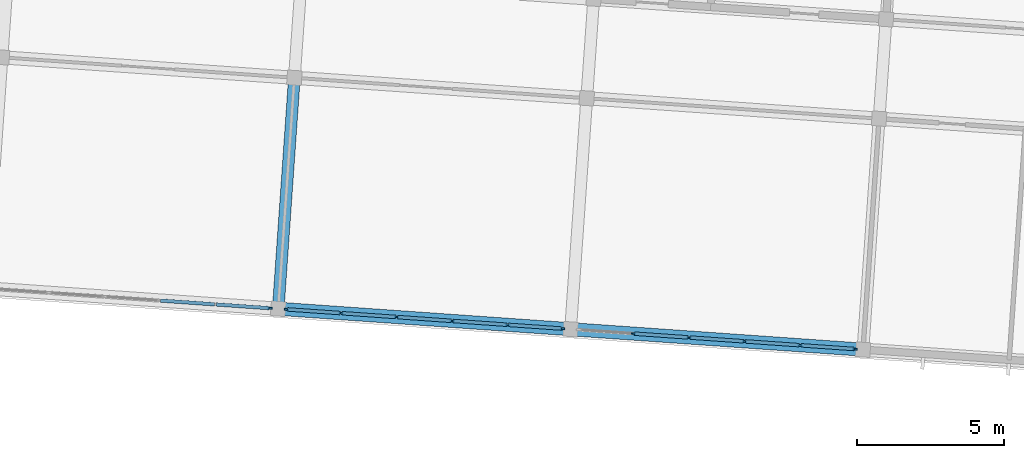
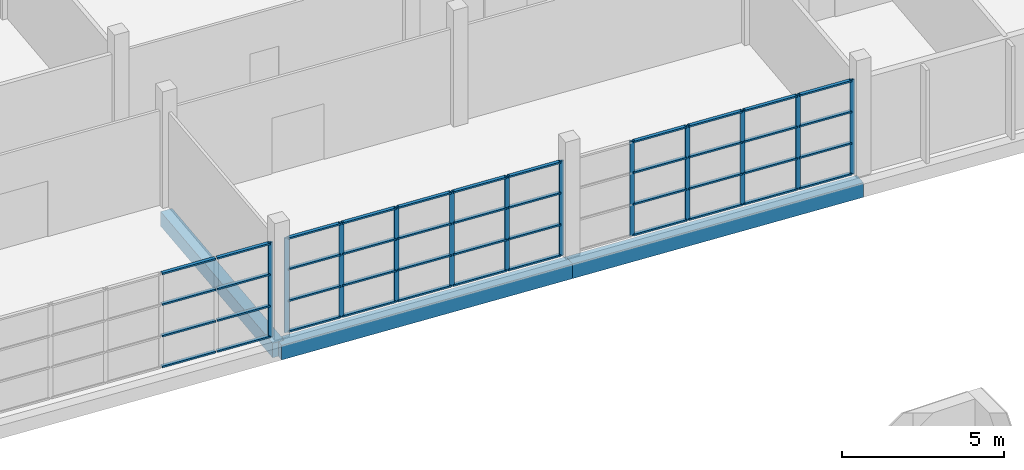
# One storey, part 19 of 50: 56 members, 3 beams, 3 elements without a shape of their own.
"""IFC4 building model written with IfcOpenShell, lengths in metres."""

from ifc_helpers import new_model, si_unit, direction, frame, origin, origin_2d, place, context, subcontext, project, spatial, rectangle, extrude, material, material_profile, profile_set, type_object, element, aggregate, save


model = new_model("IFC4")

# Units and contexts
model_context = context("Model", 3, precision=1e-05, world=origin(), true_north=direction((0.0, 1.0)))
body_context = subcontext(model_context, "Body", "Model", "MODEL_VIEW")
ifc_project = project(units=[si_unit("LENGTHUNIT", "METRE"), si_unit("AREAUNIT", "SQUARE_METRE"), si_unit("VOLUMEUNIT", "CUBIC_METRE"), si_unit("PLANEANGLEUNIT", "RADIAN"), si_unit("MASSUNIT", "GRAM", prefix="KILO")], contexts=[model_context])

# Site, building, storey
site_placement = place(None, origin())
site = spatial("IfcSite", under=ifc_project, at=site_placement, CompositionType="ELEMENT")
building_placement = place(site_placement, origin())
building = spatial("IfcBuilding", under=site, at=building_placement, Name="Windward Yard Aquatics Centre", CompositionType="ELEMENT")
storey_placement = place(building_placement, frame((0.0, 0.0, 18.199951171875)))
storey = spatial("IfcBuildingStorey", under=building, at=storey_placement, Name="L04", CompositionType="ELEMENT", Elevation=18.199951171875)

# Curtain wall, member
ifc_material_1 = material(Name="Aluminium curtain wall system", Category="aluminium")
curtain_wall_type = type_object("IfcCurtainWallType", Name="W curtain wall 1900", PredefinedType="NOTDEFINED", material=ifc_material_1)
curtain_wall_1_placement = place(storey_placement, origin())
curtain_wall_1 = element("IfcCurtainWall", 1, at=curtain_wall_1_placement, inside=storey, type_object=curtain_wall_type, Name="Wing south glazing L04 2", PredefinedType="NOTDEFINED")
ifc_material_2 = material(Name="Aluminium mullion", Category="aluminium")
ifc_material_profile_1 = material_profile(ifc_material_2, rectangle(XDim=0.06005859375, YDim=0.159912109375, at=origin_2d()), Name="AL 60x160")
ifc_profile_set_1 = profile_set([ifc_material_profile_1], Name="Aluminium mullion")
member_type_1 = type_object("IfcMemberType", Name="W CW mullion 60x160", PredefinedType="MULLION", material=ifc_profile_set_1)
member_1_placement = place(storey_placement, frame((137.510986328125, 114.7919921875, 0.0), z_axis=(0.0, 0.0, 1.0), x_axis=(0.069757583664, 0.997563972646, 0.0)))
member_1 = element("IfcMember", 2, at=member_1_placement, type_object=member_type_1, Name="WCW1 mullion 6", PredefinedType="MULLION", context=body_context, shape_type="SweptSolid", body=[
    extrude(rectangle(XDim=0.06005859375, YDim=0.159912109375, at=origin_2d()), origin(), (0.0, 0.0, 1.0), 3.570068359375),
])

# Curtain wall, members
curtain_wall_2_placement = place(storey_placement, origin())
curtain_wall_2 = element("IfcCurtainWall", 3, at=curtain_wall_2_placement, inside=storey, type_object=curtain_wall_type, Name="Wing south glazing L04 3", PredefinedType="NOTDEFINED")
member_2_placement = place(storey_placement, frame((138.0693359375, 114.7529296875, 0.0), z_axis=(0.0, 0.0, 1.0), x_axis=(0.069757583664, 0.997563972646, 0.0)))
member_2 = element("IfcMember", 4, at=member_2_placement, type_object=member_type_1, Name="WCW1 mullion 1", PredefinedType="MULLION", context=body_context, shape_type="SweptSolid", body=[
    extrude(rectangle(XDim=0.06005859375, YDim=0.159912109375, at=origin_2d()), origin(), (0.0, 0.0, 1.0), 3.570068359375),
])
member_3_placement = place(storey_placement, frame((139.934814453125, 114.62255859375, 0.0), z_axis=(0.0, 0.0, 1.0), x_axis=(0.069757583664, 0.997563972646, 0.0)))
member_3 = element("IfcMember", 5, at=member_3_placement, type_object=member_type_1, Name="WCW1 mullion 2", PredefinedType="MULLION", context=body_context, shape_type="SweptSolid", body=[
    extrude(rectangle(XDim=0.06005859375, YDim=0.159912109375, at=origin_2d()), origin(), (0.0, 0.0, 1.0), 3.570068359375),
])
member_4_placement = place(storey_placement, frame((141.830322265625, 114.489990234375, 0.0), z_axis=(0.0, 0.0, 1.0), x_axis=(0.069757583664, 0.997563972646, 0.0)))
member_4 = element("IfcMember", 6, at=member_4_placement, type_object=member_type_1, Name="WCW1 mullion 3", PredefinedType="MULLION", context=body_context, shape_type="SweptSolid", body=[
    extrude(rectangle(XDim=0.06005859375, YDim=0.159912109375, at=origin_2d()), origin(), (0.0, 0.0, 1.0), 3.570068359375),
])
member_5_placement = place(storey_placement, frame((143.7255859375, 114.357421875, 0.0), z_axis=(0.0, 0.0, 1.0), x_axis=(0.069757583664, 0.997563972646, 0.0)))
member_5 = element("IfcMember", 7, at=member_5_placement, type_object=member_type_1, Name="WCW1 mullion 4", PredefinedType="MULLION", context=body_context, shape_type="SweptSolid", body=[
    extrude(rectangle(XDim=0.06005859375, YDim=0.159912109375, at=origin_2d()), origin(), (0.0, 0.0, 1.0), 3.570068359375),
])
member_6_placement = place(storey_placement, frame((145.62109375, 114.224853515625, 0.0), z_axis=(0.0, 0.0, 1.0), x_axis=(0.069757583664, 0.997563972646, 0.0)))
member_6 = element("IfcMember", 8, at=member_6_placement, type_object=member_type_1, Name="WCW1 mullion 5", PredefinedType="MULLION", context=body_context, shape_type="SweptSolid", body=[
    extrude(rectangle(XDim=0.06005859375, YDim=0.159912109375, at=origin_2d()), origin(), (0.0, 0.0, 1.0), 3.570068359375),
])
member_7_placement = place(storey_placement, frame((147.486572265625, 114.094482421875, 0.0), z_axis=(0.0, 0.0, 1.0), x_axis=(0.069757583664, 0.997563972646, 0.0)))
member_7 = element("IfcMember", 9, at=member_7_placement, type_object=member_type_1, Name="WCW1 mullion 6", PredefinedType="MULLION", context=body_context, shape_type="SweptSolid", body=[
    extrude(rectangle(XDim=0.06005859375, YDim=0.159912109375, at=origin_2d()), origin(), (0.0, 0.0, 1.0), 3.570068359375),
])

curtain_wall_3_placement = place(storey_placement, origin())
curtain_wall_3 = element("IfcCurtainWall", 10, at=curtain_wall_3_placement, inside=storey, type_object=curtain_wall_type, Name="Wing south glazing L04 4", PredefinedType="NOTDEFINED")
member_8_placement = place(storey_placement, frame((149.91064453125, 113.9248046875, 0.0), z_axis=(0.0, 0.0, 1.0), x_axis=(0.06975831617, 0.997563921423, 0.0)))
member_8 = element("IfcMember", 11, at=member_8_placement, type_object=member_type_1, Name="WCW1 mullion 2", PredefinedType="MULLION", context=body_context, shape_type="SweptSolid", body=[
    extrude(rectangle(XDim=0.06005859375, YDim=0.159912109375, at=origin_2d()), origin(), (0.0, 0.0, 1.0), 3.570068359375),
])
member_9_placement = place(storey_placement, frame((151.805908203125, 113.792236328125, 0.0), z_axis=(0.0, 0.0, 1.0), x_axis=(0.06975831617, 0.997563921423, 0.0)))
member_9 = element("IfcMember", 12, at=member_9_placement, type_object=member_type_1, Name="WCW1 mullion 3", PredefinedType="MULLION", context=body_context, shape_type="SweptSolid", body=[
    extrude(rectangle(XDim=0.06005859375, YDim=0.159912109375, at=origin_2d()), origin(), (0.0, 0.0, 1.0), 3.570068359375),
])
member_10_placement = place(storey_placement, frame((153.701171875, 113.65966796875, 0.0), z_axis=(0.0, 0.0, 1.0), x_axis=(0.06975831617, 0.997563921423, 0.0)))
member_10 = element("IfcMember", 13, at=member_10_placement, type_object=member_type_1, Name="WCW1 mullion 4", PredefinedType="MULLION", context=body_context, shape_type="SweptSolid", body=[
    extrude(rectangle(XDim=0.06005859375, YDim=0.159912109375, at=origin_2d()), origin(), (0.0, 0.0, 1.0), 3.570068359375),
])
member_11_placement = place(storey_placement, frame((155.5966796875, 113.52734375, 0.0), z_axis=(0.0, 0.0, 1.0), x_axis=(0.06975831617, 0.997563921423, 0.0)))
member_11 = element("IfcMember", 14, at=member_11_placement, type_object=member_type_1, Name="WCW1 mullion 5", PredefinedType="MULLION", context=body_context, shape_type="SweptSolid", body=[
    extrude(rectangle(XDim=0.06005859375, YDim=0.159912109375, at=origin_2d()), origin(), (0.0, 0.0, 1.0), 3.570068359375),
])
member_12_placement = place(storey_placement, frame((157.462158203125, 113.396728515625, 0.0), z_axis=(0.0, 0.0, 1.0), x_axis=(0.06975831617, 0.997563921423, 0.0)))
member_12 = element("IfcMember", 15, at=member_12_placement, type_object=member_type_1, Name="WCW1 mullion 6", PredefinedType="MULLION", context=body_context, shape_type="SweptSolid", body=[
    extrude(rectangle(XDim=0.06005859375, YDim=0.159912109375, at=origin_2d()), origin(), (0.0, 0.0, 1.0), 3.570068359375),
])

# Member
ifc_material_3 = material(Name="Aluminium transom", Category="aluminium")
ifc_material_profile_2 = material_profile(ifc_material_3, rectangle(XDim=0.1201171875, YDim=0.06005859375, at=origin_2d()), Name="AL 120x60")
ifc_profile_set_2 = profile_set([ifc_material_profile_2], Name="Aluminium transom")
member_type_2 = type_object("IfcMemberType", Name="W CW transom 120x60", PredefinedType="USERDEFINED", material=ifc_profile_set_2)
member_13_placement = place(storey_placement, frame((133.780029296875, 115.052734375, 0.030029296875), z_axis=(0.997561369728, -0.069794796552, 0.0), x_axis=(0.069794796552, 0.997561369728, 0.0)))
member_13 = element("IfcMember", 16, at=member_13_placement, type_object=member_type_2, Name="WCW1 transom 4.1", ObjectType="TRANSOM", PredefinedType="USERDEFINED", context=body_context, shape_type="SweptSolid", body=[
    extrude(rectangle(XDim=0.1201171875, YDim=0.06005859375, at=origin_2d()), origin(), (0.0, 0.0, 1.0), 1.83984375),
])

member_14_placement = place(storey_placement, frame((133.780029296875, 115.052734375, 1.18994140625), z_axis=(0.997561369728, -0.069794796552, 0.0), x_axis=(0.069794796552, 0.997561369728, 0.0)))
member_14 = element("IfcMember", 17, at=member_14_placement, type_object=member_type_2, Name="WCW1 transom 4.2", ObjectType="TRANSOM", PredefinedType="USERDEFINED", context=body_context, shape_type="SweptSolid", body=[
    extrude(rectangle(XDim=0.1201171875, YDim=0.06005859375, at=origin_2d()), origin(), (0.0, 0.0, 1.0), 1.83984375),
])

member_15_placement = place(storey_placement, frame((133.780029296875, 115.052734375, 2.380126953125), z_axis=(0.997561369728, -0.069794796552, 0.0), x_axis=(0.069794796552, 0.997561369728, 0.0)))
member_15 = element("IfcMember", 18, at=member_15_placement, type_object=member_type_2, Name="WCW1 transom 4.3", ObjectType="TRANSOM", PredefinedType="USERDEFINED", context=body_context, shape_type="SweptSolid", body=[
    extrude(rectangle(XDim=0.1201171875, YDim=0.06005859375, at=origin_2d()), origin(), (0.0, 0.0, 1.0), 1.83984375),
])

member_16_placement = place(storey_placement, frame((133.780029296875, 115.052734375, 3.5400390625), z_axis=(0.997561369728, -0.069794796552, 0.0), x_axis=(0.069794796552, 0.997561369728, 0.0)))
member_16 = element("IfcMember", 19, at=member_16_placement, type_object=member_type_2, Name="WCW1 transom 4.4", ObjectType="TRANSOM", PredefinedType="USERDEFINED", context=body_context, shape_type="SweptSolid", body=[
    extrude(rectangle(XDim=0.1201171875, YDim=0.06005859375, at=origin_2d()), origin(), (0.0, 0.0, 1.0), 1.83984375),
])

member_17_placement = place(storey_placement, frame((135.67529296875, 114.920166015625, 0.030029296875), z_axis=(0.997565727219, -0.069732487963, 0.0), x_axis=(0.069732487963, 0.997565727219, 0.0)))
member_17 = element("IfcMember", 20, at=member_17_placement, type_object=member_type_2, Name="WCW1 transom 5.1", ObjectType="TRANSOM", PredefinedType="USERDEFINED", context=body_context, shape_type="SweptSolid", body=[
    extrude(rectangle(XDim=0.1201171875, YDim=0.06005859375, at=origin_2d()), origin(), (0.0, 0.0, 1.0), 1.81005859375),
])

member_18_placement = place(storey_placement, frame((135.67529296875, 114.920166015625, 1.18994140625), z_axis=(0.997565727219, -0.069732487963, 0.0), x_axis=(0.069732487963, 0.997565727219, 0.0)))
member_18 = element("IfcMember", 21, at=member_18_placement, type_object=member_type_2, Name="WCW1 transom 5.2", ObjectType="TRANSOM", PredefinedType="USERDEFINED", context=body_context, shape_type="SweptSolid", body=[
    extrude(rectangle(XDim=0.1201171875, YDim=0.06005859375, at=origin_2d()), origin(), (0.0, 0.0, 1.0), 1.81005859375),
])

member_19_placement = place(storey_placement, frame((135.67529296875, 114.920166015625, 2.380126953125), z_axis=(0.997565727219, -0.069732487963, 0.0), x_axis=(0.069732487963, 0.997565727219, 0.0)))
member_19 = element("IfcMember", 22, at=member_19_placement, type_object=member_type_2, Name="WCW1 transom 5.3", ObjectType="TRANSOM", PredefinedType="USERDEFINED", context=body_context, shape_type="SweptSolid", body=[
    extrude(rectangle(XDim=0.1201171875, YDim=0.06005859375, at=origin_2d()), origin(), (0.0, 0.0, 1.0), 1.81005859375),
])

member_20_placement = place(storey_placement, frame((135.67529296875, 114.920166015625, 3.5400390625), z_axis=(0.997565727219, -0.069732487963, 0.0), x_axis=(0.069732487963, 0.997565727219, 0.0)))
member_20 = element("IfcMember", 23, at=member_20_placement, type_object=member_type_2, Name="WCW1 transom 5.4", ObjectType="TRANSOM", PredefinedType="USERDEFINED", context=body_context, shape_type="SweptSolid", body=[
    extrude(rectangle(XDim=0.1201171875, YDim=0.06005859375, at=origin_2d()), origin(), (0.0, 0.0, 1.0), 1.81005859375),
])

aggregate(curtain_wall_1, [member_1, member_13, member_14, member_15, member_16, member_17, member_18, member_19, member_20])

member_21_placement = place(storey_placement, frame((138.099365234375, 114.750732421875, 0.030029296875), z_axis=(0.997565727219, -0.069732487963, 0.0), x_axis=(0.069732487963, 0.997565727219, 0.0)))
member_21 = element("IfcMember", 24, at=member_21_placement, type_object=member_type_2, Name="WCW1 transom 1.1", ObjectType="TRANSOM", PredefinedType="USERDEFINED", context=body_context, shape_type="SweptSolid", body=[
    extrude(rectangle(XDim=0.1201171875, YDim=0.06005859375, at=origin_2d()), origin(), (0.0, 0.0, 1.0), 1.81005859375),
])

member_22_placement = place(storey_placement, frame((138.099365234375, 114.750732421875, 1.18994140625), z_axis=(0.997565727219, -0.069732487963, 0.0), x_axis=(0.069732487963, 0.997565727219, 0.0)))
member_22 = element("IfcMember", 25, at=member_22_placement, type_object=member_type_2, Name="WCW1 transom 1.2", ObjectType="TRANSOM", PredefinedType="USERDEFINED", context=body_context, shape_type="SweptSolid", body=[
    extrude(rectangle(XDim=0.1201171875, YDim=0.06005859375, at=origin_2d()), origin(), (0.0, 0.0, 1.0), 1.81005859375),
])

member_23_placement = place(storey_placement, frame((138.099365234375, 114.750732421875, 2.380126953125), z_axis=(0.997565727219, -0.069732487963, 0.0), x_axis=(0.069732487963, 0.997565727219, 0.0)))
member_23 = element("IfcMember", 26, at=member_23_placement, type_object=member_type_2, Name="WCW1 transom 1.3", ObjectType="TRANSOM", PredefinedType="USERDEFINED", context=body_context, shape_type="SweptSolid", body=[
    extrude(rectangle(XDim=0.1201171875, YDim=0.06005859375, at=origin_2d()), origin(), (0.0, 0.0, 1.0), 1.81005859375),
])

member_24_placement = place(storey_placement, frame((138.099365234375, 114.750732421875, 3.5400390625), z_axis=(0.997565727219, -0.069732487963, 0.0), x_axis=(0.069732487963, 0.997565727219, 0.0)))
member_24 = element("IfcMember", 27, at=member_24_placement, type_object=member_type_2, Name="WCW1 transom 1.4", ObjectType="TRANSOM", PredefinedType="USERDEFINED", context=body_context, shape_type="SweptSolid", body=[
    extrude(rectangle(XDim=0.1201171875, YDim=0.06005859375, at=origin_2d()), origin(), (0.0, 0.0, 1.0), 1.81005859375),
])

member_25_placement = place(storey_placement, frame((139.96484375, 114.620361328125, 0.030029296875), z_axis=(0.997561369728, -0.069794796552, 0.0), x_axis=(0.069794796552, 0.997561369728, 0.0)))
member_25 = element("IfcMember", 28, at=member_25_placement, type_object=member_type_2, Name="WCW1 transom 2.1", ObjectType="TRANSOM", PredefinedType="USERDEFINED", context=body_context, shape_type="SweptSolid", body=[
    extrude(rectangle(XDim=0.1201171875, YDim=0.06005859375, at=origin_2d()), origin(), (0.0, 0.0, 1.0), 1.83984375),
])

member_26_placement = place(storey_placement, frame((139.96484375, 114.620361328125, 1.18994140625), z_axis=(0.997561369728, -0.069794796552, 0.0), x_axis=(0.069794796552, 0.997561369728, 0.0)))
member_26 = element("IfcMember", 29, at=member_26_placement, type_object=member_type_2, Name="WCW1 transom 2.2", ObjectType="TRANSOM", PredefinedType="USERDEFINED", context=body_context, shape_type="SweptSolid", body=[
    extrude(rectangle(XDim=0.1201171875, YDim=0.06005859375, at=origin_2d()), origin(), (0.0, 0.0, 1.0), 1.83984375),
])

member_27_placement = place(storey_placement, frame((139.96484375, 114.620361328125, 2.380126953125), z_axis=(0.997561369728, -0.069794796552, 0.0), x_axis=(0.069794796552, 0.997561369728, 0.0)))
member_27 = element("IfcMember", 30, at=member_27_placement, type_object=member_type_2, Name="WCW1 transom 2.3", ObjectType="TRANSOM", PredefinedType="USERDEFINED", context=body_context, shape_type="SweptSolid", body=[
    extrude(rectangle(XDim=0.1201171875, YDim=0.06005859375, at=origin_2d()), origin(), (0.0, 0.0, 1.0), 1.83984375),
])

member_28_placement = place(storey_placement, frame((139.96484375, 114.620361328125, 3.5400390625), z_axis=(0.997561369728, -0.069794796552, 0.0), x_axis=(0.069794796552, 0.997561369728, 0.0)))
member_28 = element("IfcMember", 31, at=member_28_placement, type_object=member_type_2, Name="WCW1 transom 2.4", ObjectType="TRANSOM", PredefinedType="USERDEFINED", context=body_context, shape_type="SweptSolid", body=[
    extrude(rectangle(XDim=0.1201171875, YDim=0.06005859375, at=origin_2d()), origin(), (0.0, 0.0, 1.0), 1.83984375),
])

member_29_placement = place(storey_placement, frame((141.860107421875, 114.48779296875, 0.030029296875), z_axis=(0.997562015973, -0.069785559303, 0.0), x_axis=(0.069785559303, 0.997562015973, 0.0)))
member_29 = element("IfcMember", 32, at=member_29_placement, type_object=member_type_2, Name="WCW1 transom 3.1", ObjectType="TRANSOM", PredefinedType="USERDEFINED", context=body_context, shape_type="SweptSolid", body=[
    extrude(rectangle(XDim=0.1201171875, YDim=0.06005859375, at=origin_2d()), origin(), (0.0, 0.0, 1.0), 1.840087890625),
])

member_30_placement = place(storey_placement, frame((141.860107421875, 114.48779296875, 1.18994140625), z_axis=(0.997562015973, -0.069785559303, 0.0), x_axis=(0.069785559303, 0.997562015973, 0.0)))
member_30 = element("IfcMember", 33, at=member_30_placement, type_object=member_type_2, Name="WCW1 transom 3.2", ObjectType="TRANSOM", PredefinedType="USERDEFINED", context=body_context, shape_type="SweptSolid", body=[
    extrude(rectangle(XDim=0.1201171875, YDim=0.06005859375, at=origin_2d()), origin(), (0.0, 0.0, 1.0), 1.840087890625),
])

member_31_placement = place(storey_placement, frame((141.860107421875, 114.48779296875, 2.380126953125), z_axis=(0.997562015973, -0.069785559303, 0.0), x_axis=(0.069785559303, 0.997562015973, 0.0)))
member_31 = element("IfcMember", 34, at=member_31_placement, type_object=member_type_2, Name="WCW1 transom 3.3", ObjectType="TRANSOM", PredefinedType="USERDEFINED", context=body_context, shape_type="SweptSolid", body=[
    extrude(rectangle(XDim=0.1201171875, YDim=0.06005859375, at=origin_2d()), origin(), (0.0, 0.0, 1.0), 1.840087890625),
])

member_32_placement = place(storey_placement, frame((141.860107421875, 114.48779296875, 3.5400390625), z_axis=(0.997562015973, -0.069785559303, 0.0), x_axis=(0.069785559303, 0.997562015973, 0.0)))
member_32 = element("IfcMember", 35, at=member_32_placement, type_object=member_type_2, Name="WCW1 transom 3.4", ObjectType="TRANSOM", PredefinedType="USERDEFINED", context=body_context, shape_type="SweptSolid", body=[
    extrude(rectangle(XDim=0.1201171875, YDim=0.06005859375, at=origin_2d()), origin(), (0.0, 0.0, 1.0), 1.840087890625),
])

member_33_placement = place(storey_placement, frame((143.755615234375, 114.355224609375, 0.030029296875), z_axis=(0.997570599543, -0.069662751365, 0.0), x_axis=(0.069662751365, 0.997570599543, 0.0)))
member_33 = element("IfcMember", 36, at=member_33_placement, type_object=member_type_2, Name="WCW1 transom 4.1", ObjectType="TRANSOM", PredefinedType="USERDEFINED", context=body_context, shape_type="SweptSolid", body=[
    extrude(rectangle(XDim=0.1201171875, YDim=0.06005859375, at=origin_2d()), origin(), (0.0, 0.0, 1.0), 1.83984375),
])

member_34_placement = place(storey_placement, frame((143.755615234375, 114.355224609375, 1.18994140625), z_axis=(0.997570599543, -0.069662751365, 0.0), x_axis=(0.069662751365, 0.997570599543, 0.0)))
member_34 = element("IfcMember", 37, at=member_34_placement, type_object=member_type_2, Name="WCW1 transom 4.2", ObjectType="TRANSOM", PredefinedType="USERDEFINED", context=body_context, shape_type="SweptSolid", body=[
    extrude(rectangle(XDim=0.1201171875, YDim=0.06005859375, at=origin_2d()), origin(), (0.0, 0.0, 1.0), 1.83984375),
])

member_35_placement = place(storey_placement, frame((143.755615234375, 114.355224609375, 2.380126953125), z_axis=(0.997570599543, -0.069662751365, 0.0), x_axis=(0.069662751365, 0.997570599543, 0.0)))
member_35 = element("IfcMember", 38, at=member_35_placement, type_object=member_type_2, Name="WCW1 transom 4.3", ObjectType="TRANSOM", PredefinedType="USERDEFINED", context=body_context, shape_type="SweptSolid", body=[
    extrude(rectangle(XDim=0.1201171875, YDim=0.06005859375, at=origin_2d()), origin(), (0.0, 0.0, 1.0), 1.83984375),
])

member_36_placement = place(storey_placement, frame((143.755615234375, 114.355224609375, 3.5400390625), z_axis=(0.997570599543, -0.069662751365, 0.0), x_axis=(0.069662751365, 0.997570599543, 0.0)))
member_36 = element("IfcMember", 39, at=member_36_placement, type_object=member_type_2, Name="WCW1 transom 4.4", ObjectType="TRANSOM", PredefinedType="USERDEFINED", context=body_context, shape_type="SweptSolid", body=[
    extrude(rectangle(XDim=0.1201171875, YDim=0.06005859375, at=origin_2d()), origin(), (0.0, 0.0, 1.0), 1.83984375),
])

member_37_placement = place(storey_placement, frame((145.65087890625, 114.22265625, 0.030029296875), z_axis=(0.997565727219, -0.069732487963, 0.0), x_axis=(0.069732487963, 0.997565727219, 0.0)))
member_37 = element("IfcMember", 40, at=member_37_placement, type_object=member_type_2, Name="WCW1 transom 5.1", ObjectType="TRANSOM", PredefinedType="USERDEFINED", context=body_context, shape_type="SweptSolid", body=[
    extrude(rectangle(XDim=0.1201171875, YDim=0.06005859375, at=origin_2d()), origin(), (0.0, 0.0, 1.0), 1.81005859375),
])

member_38_placement = place(storey_placement, frame((145.65087890625, 114.22265625, 1.18994140625), z_axis=(0.997565727219, -0.069732487963, 0.0), x_axis=(0.069732487963, 0.997565727219, 0.0)))
member_38 = element("IfcMember", 41, at=member_38_placement, type_object=member_type_2, Name="WCW1 transom 5.2", ObjectType="TRANSOM", PredefinedType="USERDEFINED", context=body_context, shape_type="SweptSolid", body=[
    extrude(rectangle(XDim=0.1201171875, YDim=0.06005859375, at=origin_2d()), origin(), (0.0, 0.0, 1.0), 1.81005859375),
])

member_39_placement = place(storey_placement, frame((145.65087890625, 114.22265625, 2.380126953125), z_axis=(0.997565727219, -0.069732487963, 0.0), x_axis=(0.069732487963, 0.997565727219, 0.0)))
member_39 = element("IfcMember", 42, at=member_39_placement, type_object=member_type_2, Name="WCW1 transom 5.3", ObjectType="TRANSOM", PredefinedType="USERDEFINED", context=body_context, shape_type="SweptSolid", body=[
    extrude(rectangle(XDim=0.1201171875, YDim=0.06005859375, at=origin_2d()), origin(), (0.0, 0.0, 1.0), 1.81005859375),
])

member_40_placement = place(storey_placement, frame((145.65087890625, 114.22265625, 3.5400390625), z_axis=(0.997565727219, -0.069732487963, 0.0), x_axis=(0.069732487963, 0.997565727219, 0.0)))
member_40 = element("IfcMember", 43, at=member_40_placement, type_object=member_type_2, Name="WCW1 transom 5.4", ObjectType="TRANSOM", PredefinedType="USERDEFINED", context=body_context, shape_type="SweptSolid", body=[
    extrude(rectangle(XDim=0.1201171875, YDim=0.06005859375, at=origin_2d()), origin(), (0.0, 0.0, 1.0), 1.81005859375),
])

aggregate(curtain_wall_2, [member_2, member_3, member_4, member_5, member_6, member_7, member_21, member_22, member_23, member_24, member_25, member_26, member_27, member_28, member_29, member_30, member_31, member_32, member_33, member_34, member_35, member_36, member_37, member_38, member_39, member_40])

member_41_placement = place(storey_placement, frame((149.9404296875, 113.9228515625, 0.030029296875), z_axis=(0.997561369728, -0.069794796552, 0.0), x_axis=(0.069794796552, 0.997561369728, 0.0)))
member_41 = element("IfcMember", 44, at=member_41_placement, type_object=member_type_2, Name="WCW1 transom 2.1", ObjectType="TRANSOM", PredefinedType="USERDEFINED", context=body_context, shape_type="SweptSolid", body=[
    extrude(rectangle(XDim=0.1201171875, YDim=0.06005859375, at=origin_2d()), origin(), (0.0, 0.0, 1.0), 1.83984375),
])

member_42_placement = place(storey_placement, frame((149.9404296875, 113.9228515625, 1.18994140625), z_axis=(0.997561369728, -0.069794796552, 0.0), x_axis=(0.069794796552, 0.997561369728, 0.0)))
member_42 = element("IfcMember", 45, at=member_42_placement, type_object=member_type_2, Name="WCW1 transom 2.2", ObjectType="TRANSOM", PredefinedType="USERDEFINED", context=body_context, shape_type="SweptSolid", body=[
    extrude(rectangle(XDim=0.1201171875, YDim=0.06005859375, at=origin_2d()), origin(), (0.0, 0.0, 1.0), 1.83984375),
])

member_43_placement = place(storey_placement, frame((149.9404296875, 113.9228515625, 2.380126953125), z_axis=(0.997561369728, -0.069794796552, 0.0), x_axis=(0.069794796552, 0.997561369728, 0.0)))
member_43 = element("IfcMember", 46, at=member_43_placement, type_object=member_type_2, Name="WCW1 transom 2.3", ObjectType="TRANSOM", PredefinedType="USERDEFINED", context=body_context, shape_type="SweptSolid", body=[
    extrude(rectangle(XDim=0.1201171875, YDim=0.06005859375, at=origin_2d()), origin(), (0.0, 0.0, 1.0), 1.83984375),
])

member_44_placement = place(storey_placement, frame((149.9404296875, 113.9228515625, 3.5400390625), z_axis=(0.997561369728, -0.069794796552, 0.0), x_axis=(0.069794796552, 0.997561369728, 0.0)))
member_44 = element("IfcMember", 47, at=member_44_placement, type_object=member_type_2, Name="WCW1 transom 2.4", ObjectType="TRANSOM", PredefinedType="USERDEFINED", context=body_context, shape_type="SweptSolid", body=[
    extrude(rectangle(XDim=0.1201171875, YDim=0.06005859375, at=origin_2d()), origin(), (0.0, 0.0, 1.0), 1.83984375),
])

member_45_placement = place(storey_placement, frame((151.8359375, 113.790283203125, 0.030029296875), z_axis=(0.997561369728, -0.069794796552, 0.0), x_axis=(0.069794796552, 0.997561369728, 0.0)))
member_45 = element("IfcMember", 48, at=member_45_placement, type_object=member_type_2, Name="WCW1 transom 3.1", ObjectType="TRANSOM", PredefinedType="USERDEFINED", context=body_context, shape_type="SweptSolid", body=[
    extrude(rectangle(XDim=0.1201171875, YDim=0.06005859375, at=origin_2d()), origin(), (0.0, 0.0, 1.0), 1.83984375),
])

member_46_placement = place(storey_placement, frame((151.8359375, 113.790283203125, 1.18994140625), z_axis=(0.997561369728, -0.069794796552, 0.0), x_axis=(0.069794796552, 0.997561369728, 0.0)))
member_46 = element("IfcMember", 49, at=member_46_placement, type_object=member_type_2, Name="WCW1 transom 3.2", ObjectType="TRANSOM", PredefinedType="USERDEFINED", context=body_context, shape_type="SweptSolid", body=[
    extrude(rectangle(XDim=0.1201171875, YDim=0.06005859375, at=origin_2d()), origin(), (0.0, 0.0, 1.0), 1.83984375),
])

member_47_placement = place(storey_placement, frame((151.8359375, 113.790283203125, 2.380126953125), z_axis=(0.997561369728, -0.069794796552, 0.0), x_axis=(0.069794796552, 0.997561369728, 0.0)))
member_47 = element("IfcMember", 50, at=member_47_placement, type_object=member_type_2, Name="WCW1 transom 3.3", ObjectType="TRANSOM", PredefinedType="USERDEFINED", context=body_context, shape_type="SweptSolid", body=[
    extrude(rectangle(XDim=0.1201171875, YDim=0.06005859375, at=origin_2d()), origin(), (0.0, 0.0, 1.0), 1.83984375),
])

member_48_placement = place(storey_placement, frame((151.8359375, 113.790283203125, 3.5400390625), z_axis=(0.997561369728, -0.069794796552, 0.0), x_axis=(0.069794796552, 0.997561369728, 0.0)))
member_48 = element("IfcMember", 51, at=member_48_placement, type_object=member_type_2, Name="WCW1 transom 3.4", ObjectType="TRANSOM", PredefinedType="USERDEFINED", context=body_context, shape_type="SweptSolid", body=[
    extrude(rectangle(XDim=0.1201171875, YDim=0.06005859375, at=origin_2d()), origin(), (0.0, 0.0, 1.0), 1.83984375),
])

member_49_placement = place(storey_placement, frame((153.731201171875, 113.65771484375, 0.030029296875), z_axis=(0.997561369728, -0.069794796552, 0.0), x_axis=(0.069794796552, 0.997561369728, 0.0)))
member_49 = element("IfcMember", 52, at=member_49_placement, type_object=member_type_2, Name="WCW1 transom 4.1", ObjectType="TRANSOM", PredefinedType="USERDEFINED", context=body_context, shape_type="SweptSolid", body=[
    extrude(rectangle(XDim=0.1201171875, YDim=0.06005859375, at=origin_2d()), origin(), (0.0, 0.0, 1.0), 1.83984375),
])

member_50_placement = place(storey_placement, frame((153.731201171875, 113.65771484375, 1.18994140625), z_axis=(0.997561369728, -0.069794796552, 0.0), x_axis=(0.069794796552, 0.997561369728, 0.0)))
member_50 = element("IfcMember", 53, at=member_50_placement, type_object=member_type_2, Name="WCW1 transom 4.2", ObjectType="TRANSOM", PredefinedType="USERDEFINED", context=body_context, shape_type="SweptSolid", body=[
    extrude(rectangle(XDim=0.1201171875, YDim=0.06005859375, at=origin_2d()), origin(), (0.0, 0.0, 1.0), 1.83984375),
])

member_51_placement = place(storey_placement, frame((153.731201171875, 113.65771484375, 2.380126953125), z_axis=(0.997561369728, -0.069794796552, 0.0), x_axis=(0.069794796552, 0.997561369728, 0.0)))
member_51 = element("IfcMember", 54, at=member_51_placement, type_object=member_type_2, Name="WCW1 transom 4.3", ObjectType="TRANSOM", PredefinedType="USERDEFINED", context=body_context, shape_type="SweptSolid", body=[
    extrude(rectangle(XDim=0.1201171875, YDim=0.06005859375, at=origin_2d()), origin(), (0.0, 0.0, 1.0), 1.83984375),
])

member_52_placement = place(storey_placement, frame((153.731201171875, 113.65771484375, 3.5400390625), z_axis=(0.997561369728, -0.069794796552, 0.0), x_axis=(0.069794796552, 0.997561369728, 0.0)))
member_52 = element("IfcMember", 55, at=member_52_placement, type_object=member_type_2, Name="WCW1 transom 4.4", ObjectType="TRANSOM", PredefinedType="USERDEFINED", context=body_context, shape_type="SweptSolid", body=[
    extrude(rectangle(XDim=0.1201171875, YDim=0.06005859375, at=origin_2d()), origin(), (0.0, 0.0, 1.0), 1.83984375),
])

member_53_placement = place(storey_placement, frame((155.62646484375, 113.525146484375, 0.030029296875), z_axis=(0.997565727219, -0.069732487963, 0.0), x_axis=(0.069732487963, 0.997565727219, 0.0)))
member_53 = element("IfcMember", 56, at=member_53_placement, type_object=member_type_2, Name="WCW1 transom 5.1", ObjectType="TRANSOM", PredefinedType="USERDEFINED", context=body_context, shape_type="SweptSolid", body=[
    extrude(rectangle(XDim=0.1201171875, YDim=0.06005859375, at=origin_2d()), origin(), (0.0, 0.0, 1.0), 1.81005859375),
])

member_54_placement = place(storey_placement, frame((155.62646484375, 113.525146484375, 1.18994140625), z_axis=(0.997565727219, -0.069732487963, 0.0), x_axis=(0.069732487963, 0.997565727219, 0.0)))
member_54 = element("IfcMember", 57, at=member_54_placement, type_object=member_type_2, Name="WCW1 transom 5.2", ObjectType="TRANSOM", PredefinedType="USERDEFINED", context=body_context, shape_type="SweptSolid", body=[
    extrude(rectangle(XDim=0.1201171875, YDim=0.06005859375, at=origin_2d()), origin(), (0.0, 0.0, 1.0), 1.81005859375),
])

member_55_placement = place(storey_placement, frame((155.62646484375, 113.525146484375, 2.380126953125), z_axis=(0.997565727219, -0.069732487963, 0.0), x_axis=(0.069732487963, 0.997565727219, 0.0)))
member_55 = element("IfcMember", 58, at=member_55_placement, type_object=member_type_2, Name="WCW1 transom 5.3", ObjectType="TRANSOM", PredefinedType="USERDEFINED", context=body_context, shape_type="SweptSolid", body=[
    extrude(rectangle(XDim=0.1201171875, YDim=0.06005859375, at=origin_2d()), origin(), (0.0, 0.0, 1.0), 1.81005859375),
])

member_56_placement = place(storey_placement, frame((155.62646484375, 113.525146484375, 3.5400390625), z_axis=(0.997565727219, -0.069732487963, 0.0), x_axis=(0.069732487963, 0.997565727219, 0.0)))
member_56 = element("IfcMember", 59, at=member_56_placement, type_object=member_type_2, Name="WCW1 transom 5.4", ObjectType="TRANSOM", PredefinedType="USERDEFINED", context=body_context, shape_type="SweptSolid", body=[
    extrude(rectangle(XDim=0.1201171875, YDim=0.06005859375, at=origin_2d()), origin(), (0.0, 0.0, 1.0), 1.81005859375),
])

aggregate(curtain_wall_3, [member_8, member_9, member_10, member_11, member_12, member_41, member_42, member_43, member_44, member_45, member_46, member_47, member_48, member_49, member_50, member_51, member_52, member_53, member_54, member_55, member_56])

# Beams
ifc_material_4 = material(Name="Concrete C40/50", Category="concrete")
ifc_material_profile_3 = material_profile(ifc_material_4, rectangle(XDim=0.39990234375, YDim=0.550048828125, at=origin_2d()), Name="RC 400x550")
ifc_profile_set_3 = profile_set([ifc_material_profile_3], Name="Concrete C40/50")
beam_type_1 = type_object("IfcBeamType", Name="W RC 400x550 beam Concrete C40/50", PredefinedType="BEAM", material=ifc_profile_set_3)
beam_1_placement = place(storey_placement, frame((137.7900390625, 114.7724609375, -0.554931640625), z_axis=(0.069779923244, 0.997562410234, 0.0), x_axis=(-0.997562410234, 0.069779923244, 0.0)))
element("IfcBeam", 60, at=beam_1_placement, inside=storey, type_object=beam_type_1, Name="W.BV.L04.4.A", PredefinedType="BEAM", context=body_context, shape_type="SweptSolid", body=[
    extrude(rectangle(XDim=0.39990234375, YDim=0.550048828125, at=origin_2d()), origin(), (0.0, 0.0, 1.0), 7.900146484375),
])
ifc_material_profile_4 = material_profile(ifc_material_4, rectangle(XDim=0.449951171875, YDim=0.550048828125, at=origin_2d()), Name="RC 450x550")
ifc_profile_set_4 = profile_set([ifc_material_profile_4], Name="Concrete C40/50")
beam_type_2 = type_object("IfcBeamType", Name="W RC 450x550 beam Concrete C40/50", PredefinedType="BEAM", material=ifc_profile_set_4)
beam_2_placement = place(storey_placement, frame((137.7900390625, 114.7724609375, -0.554931640625), z_axis=(0.997562826017, -0.069773979021, 0.0), x_axis=(0.069773979021, 0.997562826017, 0.0)))
element("IfcBeam", 61, at=beam_2_placement, inside=storey, type_object=beam_type_2, Name="W.BU.L04.1.4", PredefinedType="BEAM", context=body_context, shape_type="SweptSolid", body=[
    extrude(rectangle(XDim=0.449951171875, YDim=0.550048828125, at=origin_2d()), origin(), (0.0, 0.0, 1.0), 10.000244140625),
])
beam_3_placement = place(storey_placement, frame((147.765869140625, 114.07470703125, -0.554931640625), z_axis=(0.997564406228, -0.069751382981, 0.0), x_axis=(0.069751382981, 0.997564406228, 0.0)))
element("IfcBeam", 62, at=beam_3_placement, inside=storey, type_object=beam_type_2, Name="W.BU.L04.1.5", PredefinedType="BEAM", context=body_context, shape_type="SweptSolid", body=[
    extrude(rectangle(XDim=0.449951171875, YDim=0.550048828125, at=origin_2d()), origin(), (0.0, 0.0, 1.0), 10.0),
])

save(model, "model.ifc")
